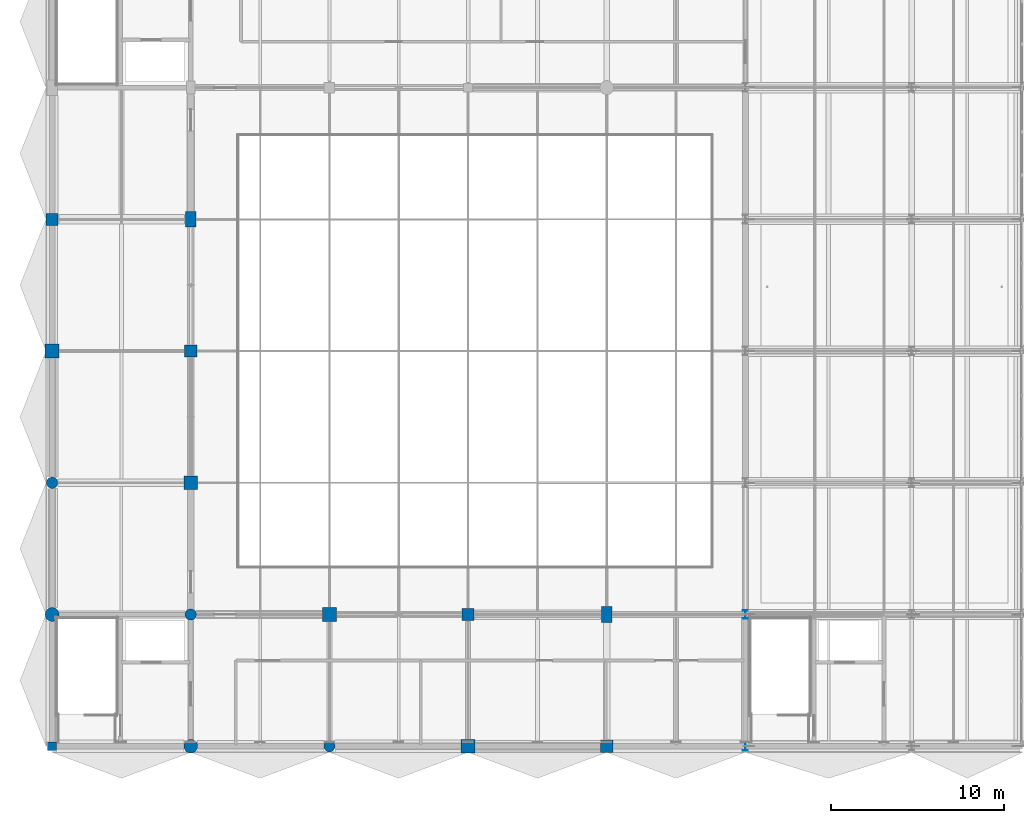
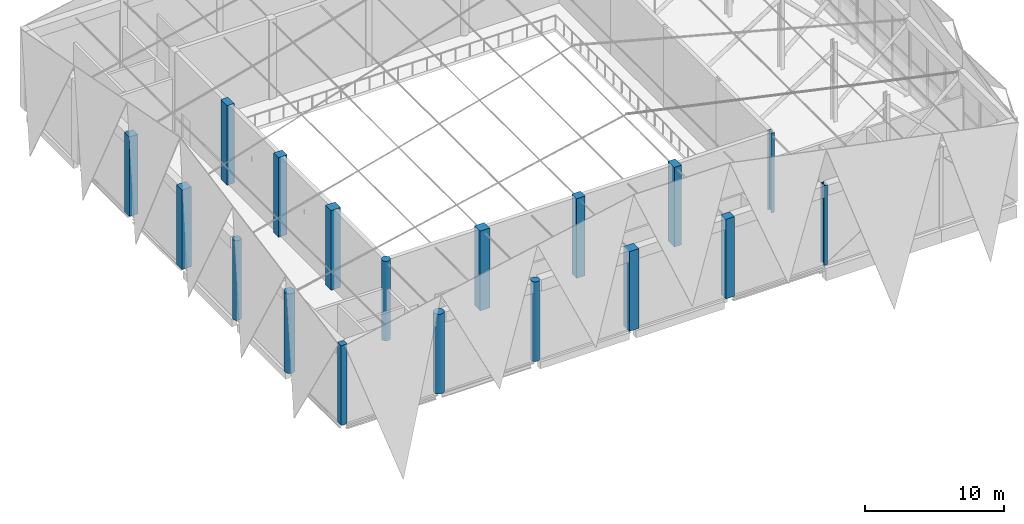
# One storey, part 1 of 46: 18 columns.
"""IFC4 building model written with IfcOpenShell, lengths in metres."""

from ifc_helpers import new_model, si_unit, direction, frame, origin, origin_with_axes, origin_2d, place, context, subcontext, project, spatial, rectangle, circle, i_section, extrude, material, material_profile, profile_set, type_object, element, save


model = new_model("IFC4")

# Units and contexts
model_context = context("Model", 3, precision=1e-05, world=origin(), true_north=direction((0.0, 1.0)))
body_context = subcontext(model_context, "Body", "Model", "MODEL_VIEW")
ifc_project = project(units=[si_unit("LENGTHUNIT", "METRE"), si_unit("AREAUNIT", "SQUARE_METRE"), si_unit("VOLUMEUNIT", "CUBIC_METRE"), si_unit("PLANEANGLEUNIT", "RADIAN"), si_unit("MASSUNIT", "GRAM", prefix="KILO")], contexts=[model_context])

# Site, building, storey
site_placement = place(None, origin())
site = spatial("IfcSite", under=ifc_project, at=site_placement, CompositionType="ELEMENT")
building_placement = place(site_placement, origin())
building = spatial("IfcBuilding", under=site, at=building_placement, Name="Khelvaren Railside Concert Hall", CompositionType="ELEMENT")
storey_placement = place(building_placement, frame((0.0, 0.0, 19.800048828125)))
storey = spatial("IfcBuildingStorey", under=building, at=storey_placement, Name="L04", CompositionType="ELEMENT", Elevation=19.800048828125)

# Columns
ifc_material_1 = material(Name="Steel S355", Category="steel")
ifc_material_profile_1 = material_profile(ifc_material_1, i_section(OverallWidth=0.300048828125, OverallDepth=0.5, WebThickness=0.014404296875, FlangeThickness=0.028076171875, FilletRadius=0.027099609375, at=origin_2d()), Name="HEB 500")
ifc_profile_set_1 = profile_set([ifc_material_profile_1], Name="Steel S355")
column_type_1 = type_object("IfcColumnType", Name="COL15", PredefinedType="COLUMN", material=ifc_profile_set_1)
column_1_placement = place(storey_placement, frame((40.0, 0.0, 0.0), z_axis=(0.0, 0.0, 1.0), x_axis=(1.0, 0.0, 0.0)))
element("IfcColumn", 1, at=column_1_placement, inside=storey, type_object=column_type_1, Name="V1 L04 Column (40.0,0.0)", PredefinedType="COLUMN", context=body_context, shape_type="SweptSolid", body=[
    extrude(i_section(OverallWidth=0.300048828125, OverallDepth=0.5, WebThickness=0.014404296875, FlangeThickness=0.028076171875, FilletRadius=0.027099609375, at=origin_2d()), origin(), (0.0, 0.0, 1.0), 7.0),
])
ifc_material_2 = material(Name="Concrete C45/55", Category="concrete")
ifc_material_profile_2 = material_profile(ifc_material_2, rectangle(XDim=0.699951171875, YDim=0.699951171875, at=origin_2d()), Name="RC 700x700")
ifc_profile_set_2 = profile_set([ifc_material_profile_2], Name="Concrete C45/55")
column_type_2 = type_object("IfcColumnType", Name="COL16", PredefinedType="COLUMN", material=ifc_profile_set_2)
for number, where, z_axis, x_axis, name in (
    (2, (0.0, 30.39990234375, 0.0), (0.0, 0.0, 1.0), (1.0, 0.0, 0.0), "V1 L04 Column (0.0,30.4)"),
    (3, (32.0, 0.0, 0.0), (0.0, 0.0, 1.0), (1.0, 0.0, 0.0), "V1 L04 Column (32.0,0.0)"),
):
    element("IfcColumn", number, at=place(storey_placement, frame(where, z_axis=z_axis, x_axis=x_axis)), inside=storey, type_object=column_type_2, Name=name, PredefinedType="COLUMN", context=body_context, shape_type="SweptSolid", body=[
        extrude(rectangle(XDim=0.699951171875, YDim=0.699951171875, at=origin_2d()), origin(), (0.0, 0.0, 1.0), 7.0),
    ])
ifc_material_profile_3 = material_profile(ifc_material_2, rectangle(XDim=0.800048828125, YDim=0.800048828125, at=origin_2d()), Name="RC 800x800")
ifc_profile_set_3 = profile_set([ifc_material_profile_3], Name="Concrete C45/55")
column_type_3 = type_object("IfcColumnType", Name="COL20", PredefinedType="COLUMN", material=ifc_profile_set_3)
for number, where, z_axis, x_axis, name in (
    (4, (8.0, 15.199951171875, 0.0), (0.0, 0.0, 1.0), (1.0, 0.0, 0.0), "V1 L04 Column (8.0,15.2)"),
    (5, (16.0, 7.60009765625, 0.0), (0.0, 0.0, 1.0), (1.0, 0.0, 0.0), "V1 L04 Column (16.0,7.6)"),
):
    element("IfcColumn", number, at=place(storey_placement, frame(where, z_axis=z_axis, x_axis=x_axis)), inside=storey, type_object=column_type_3, Name=name, PredefinedType="COLUMN", context=body_context, shape_type="SweptSolid", body=[
        extrude(rectangle(XDim=0.800048828125, YDim=0.800048828125, at=origin_2d()), origin(), (0.0, 0.0, 1.0), 7.0),
    ])
ifc_material_profile_4 = material_profile(ifc_material_2, circle(Radius=0.39990234375, at=origin_2d()), Name="RC D800")
ifc_profile_set_4 = profile_set([ifc_material_profile_4], Name="Concrete C45/55")
column_type_4 = type_object("IfcColumnType", Name="COL22", PredefinedType="COLUMN", material=ifc_profile_set_4)
for number, where, z_axis, x_axis, name in (
    (6, (0.0, 7.60009765625, 0.0), (0.0, 0.0, 1.0), (1.0, 0.0, 0.0), "V1 L04 Column (0.0,7.6)"),
    (7, (8.0, 0.0, 0.0), (0.0, 0.0, 1.0), (1.0, 0.0, 0.0), "V1 L04 Column (8.0,0.0)"),
):
    element("IfcColumn", number, at=place(storey_placement, frame(where, z_axis=z_axis, x_axis=x_axis)), inside=storey, type_object=column_type_4, Name=name, PredefinedType="COLUMN", context=body_context, shape_type="SweptSolid", body=[
        extrude(circle(Radius=0.39990234375, at=origin_2d()), origin(), (0.0, 0.0, 1.0), 7.0),
    ])
ifc_material_profile_5 = material_profile(ifc_material_1, i_section(OverallWidth=0.300048828125, OverallDepth=0.5, WebThickness=0.014404296875, FlangeThickness=0.028076171875, FilletRadius=0.027099609375, at=origin_2d()), Name="HEB 500")
ifc_profile_set_5 = profile_set([ifc_material_profile_5], Name="Steel S355")
column_type_5 = type_object("IfcColumnType", Name="COL25", PredefinedType="COLUMN", material=ifc_profile_set_5)
column_2_placement = place(storey_placement, frame((40.0, 7.60009765625, 0.0), z_axis=(0.0, 0.0, 1.0), x_axis=(1.0, 0.0, 0.0)))
element("IfcColumn", 8, at=column_2_placement, inside=storey, type_object=column_type_5, Name="V1 L04 Column (40.0,7.6)", PredefinedType="COLUMN", context=body_context, shape_type="SweptSolid", body=[
    extrude(i_section(OverallWidth=0.300048828125, OverallDepth=0.5, WebThickness=0.014404296875, FlangeThickness=0.028076171875, FilletRadius=0.027099609375, at=origin_2d()), origin(), (0.0, 0.0, 1.0), 7.0),
])
ifc_material_profile_6 = material_profile(ifc_material_2, rectangle(XDim=0.60009765625, YDim=0.89990234375, at=origin_2d()), Name="RC 600x900")
ifc_profile_set_6 = profile_set([ifc_material_profile_6], Name="Concrete C45/55")
column_type_6 = type_object("IfcColumnType", Name="COL33", PredefinedType="COLUMN", material=ifc_profile_set_6)
for number, where, z_axis, x_axis, name in (
    (9, (8.0, 30.39990234375, 0.0), (0.0, 0.0, 1.0), (1.0, 0.0, 0.0), "V1 L04 Column (8.0,30.4)"),
    (10, (32.0, 7.60009765625, 0.0), (0.0, 0.0, 1.0), (1.0, 0.0, 0.0), "V1 L04 Column (32.0,7.6)"),
):
    element("IfcColumn", number, at=place(storey_placement, frame(where, z_axis=z_axis, x_axis=x_axis)), inside=storey, type_object=column_type_6, Name=name, PredefinedType="COLUMN", context=body_context, shape_type="SweptSolid", body=[
        extrude(rectangle(XDim=0.60009765625, YDim=0.89990234375, at=origin_2d()), origin(), (0.0, 0.0, 1.0), 7.0),
    ])
ifc_material_profile_7 = material_profile(ifc_material_2, rectangle(XDim=0.5, YDim=0.5, at=origin_2d()), Name="RC 500x500")
ifc_profile_set_7 = profile_set([ifc_material_profile_7], Name="Concrete C45/55")
column_type_7 = type_object("IfcColumnType", Name="COL35", PredefinedType="COLUMN", material=ifc_profile_set_7)
column_3_placement = place(storey_placement, origin_with_axes())
element("IfcColumn", 11, at=column_3_placement, inside=storey, type_object=column_type_7, Name="V1 L04 Column (0.0,0.0)", PredefinedType="COLUMN", context=body_context, shape_type="SweptSolid", body=[
    extrude(rectangle(XDim=0.5, YDim=0.5, at=origin_2d()), origin(), (0.0, 0.0, 1.0), 7.0),
])
ifc_material_profile_8 = material_profile(ifc_material_2, rectangle(XDim=0.800048828125, YDim=0.800048828125, at=origin_2d()), Name="RC 800x800")
ifc_profile_set_8 = profile_set([ifc_material_profile_8], Name="Concrete C45/55")
column_type_8 = type_object("IfcColumnType", Name="COL38", PredefinedType="COLUMN", material=ifc_profile_set_8)
for number, where, z_axis, x_axis, name in (
    (12, (0.0, 22.800048828125, 0.0), (0.0, 0.0, 1.0), (1.0, 0.0, 0.0), "V1 L04 Column (0.0,22.8)"),
    (13, (24.0, 0.0, 0.0), (0.0, 0.0, 1.0), (1.0, 0.0, 0.0), "V1 L04 Column (24.0,0.0)"),
):
    element("IfcColumn", number, at=place(storey_placement, frame(where, z_axis=z_axis, x_axis=x_axis)), inside=storey, type_object=column_type_8, Name=name, PredefinedType="COLUMN", context=body_context, shape_type="SweptSolid", body=[
        extrude(rectangle(XDim=0.800048828125, YDim=0.800048828125, at=origin_2d()), origin(), (0.0, 0.0, 1.0), 7.0),
    ])
ifc_material_profile_9 = material_profile(ifc_material_2, circle(Radius=0.324951171875, at=origin_2d()), Name="RC D650")
ifc_profile_set_9 = profile_set([ifc_material_profile_9], Name="Concrete C45/55")
column_type_9 = type_object("IfcColumnType", Name="COL53", PredefinedType="COLUMN", material=ifc_profile_set_9)
for number, where, z_axis, x_axis, name in (
    (14, (0.0, 15.199951171875, 0.0), (0.0, 0.0, 1.0), (1.0, 0.0, 0.0), "V1 L04 Column (0.0,15.2)"),
    (15, (16.0, 0.0, 0.0), (0.0, 0.0, 1.0), (1.0, 0.0, 0.0), "V1 L04 Column (16.0,0.0)"),
):
    element("IfcColumn", number, at=place(storey_placement, frame(where, z_axis=z_axis, x_axis=x_axis)), inside=storey, type_object=column_type_9, Name=name, PredefinedType="COLUMN", context=body_context, shape_type="SweptSolid", body=[
        extrude(circle(Radius=0.324951171875, at=origin_2d()), origin(), (0.0, 0.0, 1.0), 7.0),
    ])
ifc_material_profile_10 = material_profile(ifc_material_2, rectangle(XDim=0.699951171875, YDim=0.699951171875, at=origin_2d()), Name="RC 700x700")
ifc_profile_set_10 = profile_set([ifc_material_profile_10], Name="Concrete C45/55")
column_type_10 = type_object("IfcColumnType", Name="COL74", PredefinedType="COLUMN", material=ifc_profile_set_10)
for number, where, z_axis, x_axis, name in (
    (16, (8.0, 22.800048828125, 0.0), (0.0, 0.0, 1.0), (1.0, 0.0, 0.0), "V1 L04 Column (8.0,22.8)"),
    (17, (24.0, 7.60009765625, 0.0), (0.0, 0.0, 1.0), (1.0, 0.0, 0.0), "V1 L04 Column (24.0,7.6)"),
):
    element("IfcColumn", number, at=place(storey_placement, frame(where, z_axis=z_axis, x_axis=x_axis)), inside=storey, type_object=column_type_10, Name=name, PredefinedType="COLUMN", context=body_context, shape_type="SweptSolid", body=[
        extrude(rectangle(XDim=0.699951171875, YDim=0.699951171875, at=origin_2d()), origin(), (0.0, 0.0, 1.0), 7.0),
    ])
ifc_material_profile_11 = material_profile(ifc_material_2, circle(Radius=0.324951171875, at=origin_2d()), Name="RC D650")
ifc_profile_set_11 = profile_set([ifc_material_profile_11], Name="Concrete C45/55")
column_type_11 = type_object("IfcColumnType", Name="COL94", PredefinedType="COLUMN", material=ifc_profile_set_11)
column_4_placement = place(storey_placement, frame((8.0, 7.60009765625, 0.0), z_axis=(0.0, 0.0, 1.0), x_axis=(1.0, 0.0, 0.0)))
element("IfcColumn", 18, at=column_4_placement, inside=storey, type_object=column_type_11, Name="V1 L04 Column (8.0,7.6)", PredefinedType="COLUMN", context=body_context, shape_type="SweptSolid", body=[
    extrude(circle(Radius=0.324951171875, at=origin_2d()), origin(), (0.0, 0.0, 1.0), 7.0),
])

save(model, "model.ifc")
